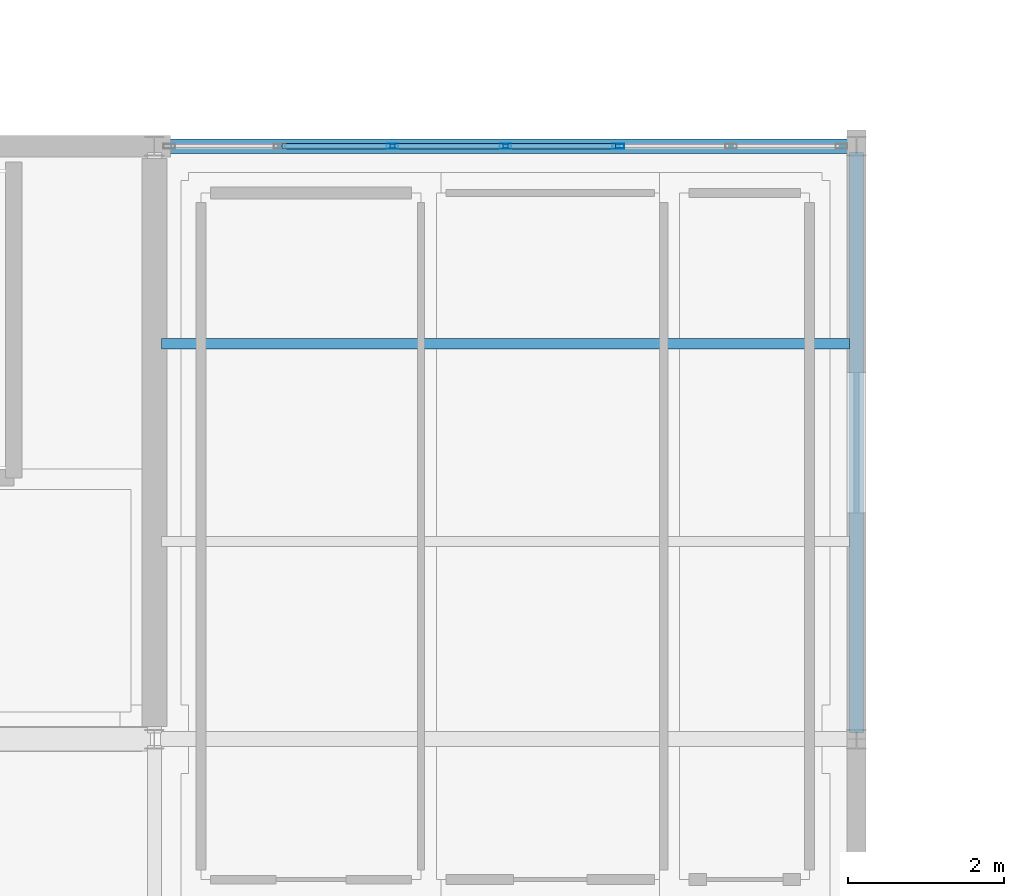
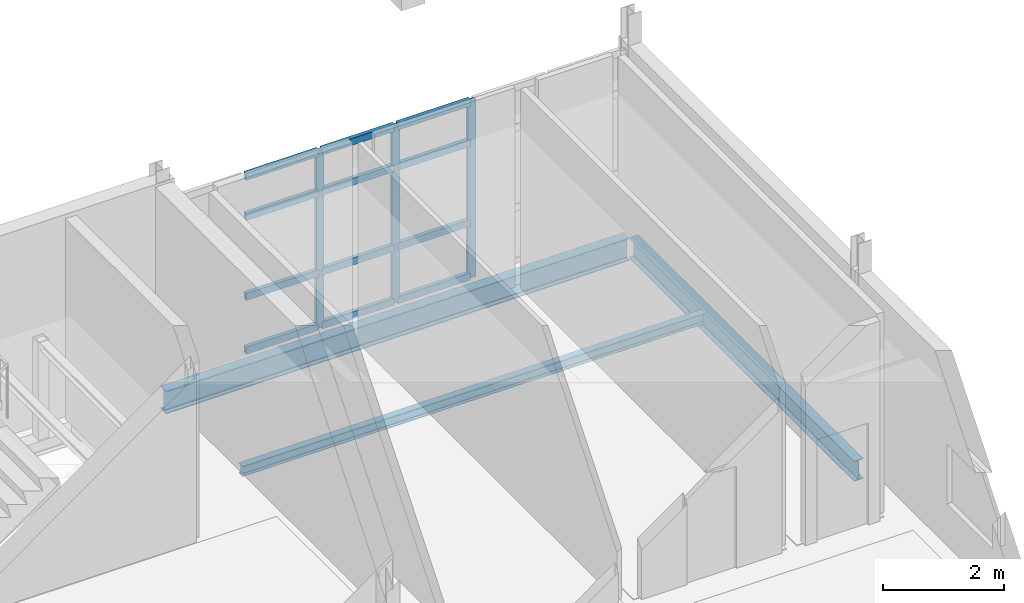
# One storey, part 99 of 166: 15 members, 3 beams, 1 element without a shape of its own.
"""IFC4 building model written with IfcOpenShell, lengths in metres."""

from ifc_helpers import new_model, si_unit, direction, frame, origin, origin_2d, place, context, subcontext, project, spatial, hollow_rectangle, i_section, extrude, material, material_profile, profile_set, type_object, element, aggregate, save


model = new_model("IFC4")

# Units and contexts
model_context = context("Model", 3, precision=1e-05, world=origin(), true_north=direction((0.0, 1.0)))
body_context = subcontext(model_context, "Body", "Model", "MODEL_VIEW")
ifc_project = project(units=[si_unit("LENGTHUNIT", "METRE"), si_unit("AREAUNIT", "SQUARE_METRE"), si_unit("VOLUMEUNIT", "CUBIC_METRE"), si_unit("PLANEANGLEUNIT", "RADIAN"), si_unit("MASSUNIT", "GRAM", prefix="KILO")], contexts=[model_context])

# Site, building, storey
site_placement = place(None, origin())
site = spatial("IfcSite", under=ifc_project, at=site_placement, CompositionType="ELEMENT")
building_placement = place(site_placement, origin())
building = spatial("IfcBuilding", under=site, at=building_placement, Name="Caisbarro Railhouse Central Library", CompositionType="ELEMENT")
storey_placement = place(building_placement, frame((0.0, 0.0, 9.360107421875)))
storey = spatial("IfcBuildingStorey", under=building, at=storey_placement, Name="L02", CompositionType="ELEMENT", Elevation=9.360107421875)

# Beams
ifc_material_1 = material(Name="Steel ASTM A572 Grade 50", Category="steel")
ifc_material_profile_1 = material_profile(ifc_material_1, i_section(OverallWidth=0.177978515625, OverallDepth=0.406982421875, WebThickness=0.0078125, FlangeThickness=0.0126953125, FilletRadius=0.01611328125, at=origin_2d()), Name="W410X60.0")
ifc_profile_set_1 = profile_set([ifc_material_profile_1], Name="Steel ASTM A572 Grade 50")
beam_type_1 = type_object("IfcBeamType", Name="BM-G10", PredefinedType="BEAM", material=ifc_profile_set_1)
beam_1_placement = place(storey_placement, frame((99.0, 98.8798828125, -0.403564453125), z_axis=(0.0, 1.0, 0.0), x_axis=(-1.0, 0.0, 0.0)))
element("IfcBeam", 1, at=beam_1_placement, inside=storey, type_object=beam_type_1, Name="G10 beam L02 #1689", PredefinedType="BEAM", context=body_context, shape_type="SweptSolid", body=[
    extrude(i_section(OverallWidth=0.177978515625, OverallDepth=0.406982421875, WebThickness=0.0078125, FlangeThickness=0.0126953125, FilletRadius=0.01611328125, at=origin_2d()), origin(), (0.0, 0.0, 1.0), 7.440185546875),
])
ifc_material_profile_2 = material_profile(ifc_material_1, i_section(OverallWidth=0.133056640625, OverallDepth=0.20703125, WebThickness=0.005859375, FlangeThickness=0.00830078125, FilletRadius=0.010009765625, at=origin_2d()), Name="W200X26.6")
ifc_profile_set_2 = profile_set([ifc_material_profile_2], Name="Steel ASTM A572 Grade 50")
beam_type_2 = type_object("IfcBeamType", Name="BM-J07", PredefinedType="JOIST", material=ifc_profile_set_2)
beam_2_placement = place(storey_placement, frame((90.089111328125, 103.86669921875, -0.3037109375), z_axis=(1.0, 0.0, 0.0), x_axis=(0.0, 1.0, 0.0)))
element("IfcBeam", 2, at=beam_2_placement, inside=storey, type_object=beam_type_2, Name="J07 beam L02 #1717", PredefinedType="JOIST", context=body_context, shape_type="SweptSolid", body=[
    extrude(i_section(OverallWidth=0.133056640625, OverallDepth=0.20703125, WebThickness=0.005859375, FlangeThickness=0.00830078125, FilletRadius=0.010009765625, at=origin_2d()), origin(), (0.0, 0.0, 1.0), 8.82177734375),
])
ifc_material_profile_3 = material_profile(ifc_material_1, i_section(OverallWidth=0.18994140625, OverallDepth=0.45703125, WebThickness=0.009033203125, FlangeThickness=0.014404296875, FilletRadius=0.01806640625, at=origin_2d()), Name="W460X74.0")
ifc_profile_set_3 = profile_set([ifc_material_profile_3], Name="Steel ASTM A572 Grade 50")
beam_type_3 = type_object("IfcBeamType", Name="BM-SP01", PredefinedType="SPANDREL", material=ifc_profile_set_3)
beam_3_placement = place(storey_placement, frame((90.080078125, 106.39990234375, -0.4287109375), z_axis=(1.0, 0.0, 0.0), x_axis=(0.0, 1.0, 0.0)))
element("IfcBeam", 3, at=beam_3_placement, inside=storey, type_object=beam_type_3, Name="SP01 beam L02 #1671", PredefinedType="SPANDREL", context=body_context, shape_type="SweptSolid", body=[
    extrude(i_section(OverallWidth=0.18994140625, OverallDepth=0.45703125, WebThickness=0.009033203125, FlangeThickness=0.014404296875, FilletRadius=0.01806640625, at=origin_2d()), origin(), (0.0, 0.0, 1.0), 8.83984375),
])

# Curtain wall, members
ifc_material_2 = material(Name="Anodised architectural aluminium", Category="aluminium")
curtain_wall_type = type_object("IfcCurtainWallType", Name="CW-CW03", PredefinedType="NOTDEFINED", material=ifc_material_2)
curtain_wall_placement = place(storey_placement, origin())
curtain_wall = element("IfcCurtainWall", 4, at=curtain_wall_placement, inside=storey, type_object=curtain_wall_type, Name="CW03 curtain wall L02 #186", PredefinedType="NOTDEFINED")
ifc_material_profile_4 = material_profile(ifc_material_2, hollow_rectangle(XDim=0.06494140625, YDim=0.14990234375, WallThickness=0.00390625, at=origin_2d()), Name="ALU-MUL-65X150")
ifc_profile_set_4 = profile_set([ifc_material_profile_4], Name="Anodised architectural aluminium")
member_type_1 = type_object("IfcMemberType", Name="CWM-M02", PredefinedType="MULLION", material=ifc_profile_set_4)
member_1_placement = place(storey_placement, frame((93.05322265625, 106.39990234375, 0.0), z_axis=(0.0, 0.0, 1.0), x_axis=(0.0, 1.0, 0.0)))
member_1 = element("IfcMember", 5, at=member_1_placement, type_object=member_type_1, Name="CW03 mullion 3", PredefinedType="MULLION", context=body_context, shape_type="SweptSolid", body=[
    extrude(hollow_rectangle(XDim=0.06494140625, YDim=0.14990234375, WallThickness=0.00390625, at=origin_2d()), origin(), (0.0, 0.0, 1.0), 3.579833984375),
])
member_2_placement = place(storey_placement, frame((94.5, 106.39990234375, 0.0), z_axis=(0.0, 0.0, 1.0), x_axis=(0.0, 1.0, 0.0)))
member_2 = element("IfcMember", 6, at=member_2_placement, type_object=member_type_1, Name="CW03 mullion 4", PredefinedType="MULLION", context=body_context, shape_type="SweptSolid", body=[
    extrude(hollow_rectangle(XDim=0.06494140625, YDim=0.14990234375, WallThickness=0.00390625, at=origin_2d()), origin(), (0.0, 0.0, 1.0), 3.579833984375),
])
member_3_placement = place(storey_placement, frame((95.94677734375, 106.39990234375, 0.0), z_axis=(0.0, 0.0, 1.0), x_axis=(0.0, 1.0, 0.0)))
member_3 = element("IfcMember", 7, at=member_3_placement, type_object=member_type_1, Name="CW03 mullion 5", PredefinedType="MULLION", context=body_context, shape_type="SweptSolid", body=[
    extrude(hollow_rectangle(XDim=0.06494140625, YDim=0.14990234375, WallThickness=0.00390625, at=origin_2d()), origin(), (0.0, 0.0, 1.0), 3.579833984375),
])
ifc_material_profile_5 = material_profile(ifc_material_2, hollow_rectangle(XDim=0.074951171875, YDim=0.139892578125, WallThickness=0.00390625, at=origin_2d()), Name="ALU-TRN-75X140")
ifc_profile_set_5 = profile_set([ifc_material_profile_5], Name="Anodised architectural aluminium")
member_type_2 = type_object("IfcMemberType", Name="CWT-T01", PredefinedType="USERDEFINED", material=ifc_profile_set_5)
member_4_placement = place(storey_placement, frame((91.63916015625, 106.39990234375, 0.037353515625), z_axis=(1.0, 0.0, 0.0), x_axis=(0.0, 1.0, 0.0)))
member_4 = element("IfcMember", 8, at=member_4_placement, type_object=member_type_2, Name="CW03 transom 2.1", ObjectType="TRANSOM", PredefinedType="USERDEFINED", context=body_context, shape_type="SweptSolid", body=[
    extrude(hollow_rectangle(XDim=0.074951171875, YDim=0.139892578125, WallThickness=0.00390625, at=origin_2d()), origin(), (0.0, 0.0, 1.0), 1.381591796875),
])
member_5_placement = place(storey_placement, frame((91.63916015625, 106.39990234375, 1.119873046875), z_axis=(1.0, 0.0, 0.0), x_axis=(0.0, 1.0, 0.0)))
member_5 = element("IfcMember", 9, at=member_5_placement, type_object=member_type_2, Name="CW03 transom 2.2", ObjectType="TRANSOM", PredefinedType="USERDEFINED", context=body_context, shape_type="SweptSolid", body=[
    extrude(hollow_rectangle(XDim=0.074951171875, YDim=0.139892578125, WallThickness=0.00390625, at=origin_2d()), origin(), (0.0, 0.0, 1.0), 1.381591796875),
])
member_6_placement = place(storey_placement, frame((91.63916015625, 106.39990234375, 2.72998046875), z_axis=(1.0, 0.0, 0.0), x_axis=(0.0, 1.0, 0.0)))
member_6 = element("IfcMember", 10, at=member_6_placement, type_object=member_type_2, Name="CW03 transom 2.3", ObjectType="TRANSOM", PredefinedType="USERDEFINED", context=body_context, shape_type="SweptSolid", body=[
    extrude(hollow_rectangle(XDim=0.074951171875, YDim=0.139892578125, WallThickness=0.00390625, at=origin_2d()), origin(), (0.0, 0.0, 1.0), 1.381591796875),
])
member_7_placement = place(storey_placement, frame((91.63916015625, 106.39990234375, 3.54248046875), z_axis=(1.0, 0.0, 0.0), x_axis=(0.0, 1.0, 0.0)))
member_7 = element("IfcMember", 11, at=member_7_placement, type_object=member_type_2, Name="CW03 transom 2.4", ObjectType="TRANSOM", PredefinedType="USERDEFINED", context=body_context, shape_type="SweptSolid", body=[
    extrude(hollow_rectangle(XDim=0.074951171875, YDim=0.139892578125, WallThickness=0.00390625, at=origin_2d()), origin(), (0.0, 0.0, 1.0), 1.381591796875),
])
member_8_placement = place(storey_placement, frame((93.0859375, 106.39990234375, 0.037353515625), z_axis=(1.0, 0.0, 0.0), x_axis=(0.0, 1.0, 0.0)))
member_8 = element("IfcMember", 12, at=member_8_placement, type_object=member_type_2, Name="CW03 transom 3.1", ObjectType="TRANSOM", PredefinedType="USERDEFINED", context=body_context, shape_type="SweptSolid", body=[
    extrude(hollow_rectangle(XDim=0.074951171875, YDim=0.139892578125, WallThickness=0.00390625, at=origin_2d()), origin(), (0.0, 0.0, 1.0), 1.381591796875),
])
member_9_placement = place(storey_placement, frame((93.0859375, 106.39990234375, 1.119873046875), z_axis=(1.0, 0.0, 0.0), x_axis=(0.0, 1.0, 0.0)))
member_9 = element("IfcMember", 13, at=member_9_placement, type_object=member_type_2, Name="CW03 transom 3.2", ObjectType="TRANSOM", PredefinedType="USERDEFINED", context=body_context, shape_type="SweptSolid", body=[
    extrude(hollow_rectangle(XDim=0.074951171875, YDim=0.139892578125, WallThickness=0.00390625, at=origin_2d()), origin(), (0.0, 0.0, 1.0), 1.381591796875),
])
member_10_placement = place(storey_placement, frame((93.0859375, 106.39990234375, 2.72998046875), z_axis=(1.0, 0.0, 0.0), x_axis=(0.0, 1.0, 0.0)))
member_10 = element("IfcMember", 14, at=member_10_placement, type_object=member_type_2, Name="CW03 transom 3.3", ObjectType="TRANSOM", PredefinedType="USERDEFINED", context=body_context, shape_type="SweptSolid", body=[
    extrude(hollow_rectangle(XDim=0.074951171875, YDim=0.139892578125, WallThickness=0.00390625, at=origin_2d()), origin(), (0.0, 0.0, 1.0), 1.381591796875),
])
member_11_placement = place(storey_placement, frame((93.0859375, 106.39990234375, 3.54248046875), z_axis=(1.0, 0.0, 0.0), x_axis=(0.0, 1.0, 0.0)))
member_11 = element("IfcMember", 15, at=member_11_placement, type_object=member_type_2, Name="CW03 transom 3.4", ObjectType="TRANSOM", PredefinedType="USERDEFINED", context=body_context, shape_type="SweptSolid", body=[
    extrude(hollow_rectangle(XDim=0.074951171875, YDim=0.139892578125, WallThickness=0.00390625, at=origin_2d()), origin(), (0.0, 0.0, 1.0), 1.381591796875),
])
member_12_placement = place(storey_placement, frame((94.532470703125, 106.39990234375, 0.037353515625), z_axis=(1.0, 0.0, 0.0), x_axis=(0.0, 1.0, 0.0)))
member_12 = element("IfcMember", 16, at=member_12_placement, type_object=member_type_2, Name="CW03 transom 4.1", ObjectType="TRANSOM", PredefinedType="USERDEFINED", context=body_context, shape_type="SweptSolid", body=[
    extrude(hollow_rectangle(XDim=0.074951171875, YDim=0.139892578125, WallThickness=0.00390625, at=origin_2d()), origin(), (0.0, 0.0, 1.0), 1.381591796875),
])
member_13_placement = place(storey_placement, frame((94.532470703125, 106.39990234375, 1.119873046875), z_axis=(1.0, 0.0, 0.0), x_axis=(0.0, 1.0, 0.0)))
member_13 = element("IfcMember", 17, at=member_13_placement, type_object=member_type_2, Name="CW03 transom 4.2", ObjectType="TRANSOM", PredefinedType="USERDEFINED", context=body_context, shape_type="SweptSolid", body=[
    extrude(hollow_rectangle(XDim=0.074951171875, YDim=0.139892578125, WallThickness=0.00390625, at=origin_2d()), origin(), (0.0, 0.0, 1.0), 1.381591796875),
])
member_14_placement = place(storey_placement, frame((94.532470703125, 106.39990234375, 2.72998046875), z_axis=(1.0, 0.0, 0.0), x_axis=(0.0, 1.0, 0.0)))
member_14 = element("IfcMember", 18, at=member_14_placement, type_object=member_type_2, Name="CW03 transom 4.3", ObjectType="TRANSOM", PredefinedType="USERDEFINED", context=body_context, shape_type="SweptSolid", body=[
    extrude(hollow_rectangle(XDim=0.074951171875, YDim=0.139892578125, WallThickness=0.00390625, at=origin_2d()), origin(), (0.0, 0.0, 1.0), 1.381591796875),
])
member_15_placement = place(storey_placement, frame((94.532470703125, 106.39990234375, 3.54248046875), z_axis=(1.0, 0.0, 0.0), x_axis=(0.0, 1.0, 0.0)))
member_15 = element("IfcMember", 19, at=member_15_placement, type_object=member_type_2, Name="CW03 transom 4.4", ObjectType="TRANSOM", PredefinedType="USERDEFINED", context=body_context, shape_type="SweptSolid", body=[
    extrude(hollow_rectangle(XDim=0.074951171875, YDim=0.139892578125, WallThickness=0.00390625, at=origin_2d()), origin(), (0.0, 0.0, 1.0), 1.381591796875),
])
aggregate(curtain_wall, [member_1, member_2, member_3, member_4, member_5, member_6, member_7, member_8, member_9, member_10, member_11, member_12, member_13, member_14, member_15])

save(model, "model.ifc")
